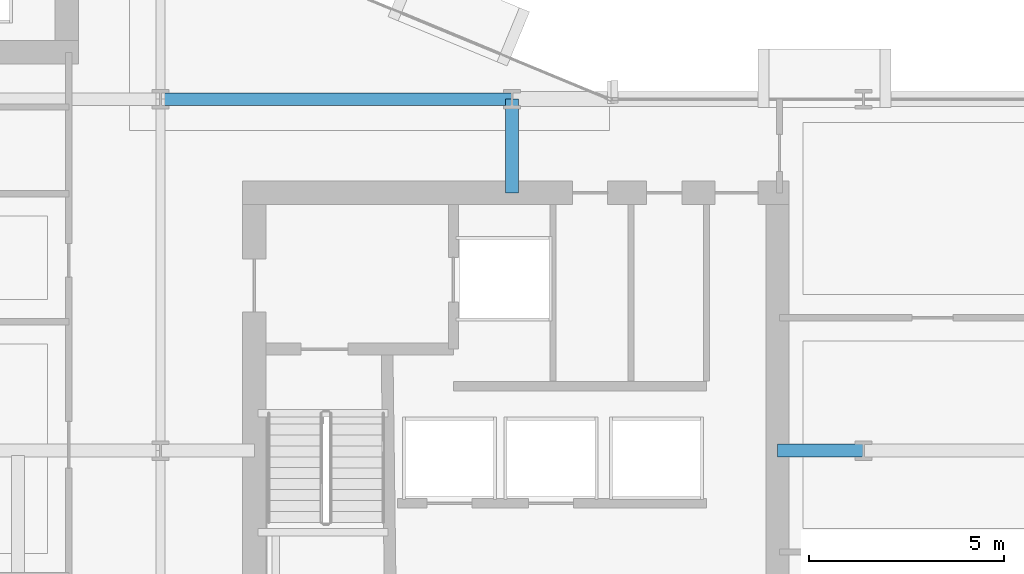
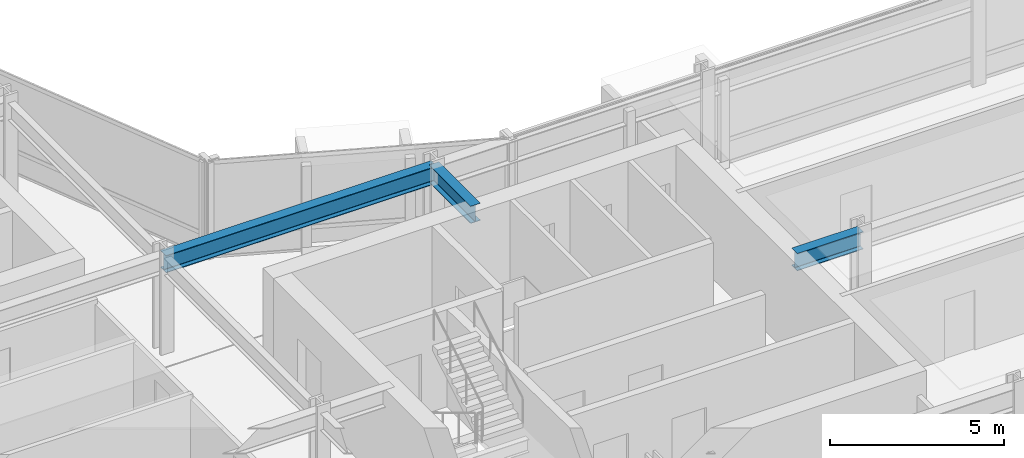
# One storey, part 14 of 34: 3 beams.
"""IFC4 building model written with IfcOpenShell, lengths in metres."""

from ifc_helpers import new_model, si_unit, direction, frame, origin, origin_2d, place, context, subcontext, project, spatial, i_section, extrude, material, material_profile, profile_set, type_object, element, save


model = new_model("IFC4")

# Units and contexts
model_context = context("Model", 3, precision=1e-05, world=origin(), true_north=direction((0.0, 1.0)))
body_context = subcontext(model_context, "Body", "Model", "MODEL_VIEW")
ifc_project = project(units=[si_unit("LENGTHUNIT", "METRE"), si_unit("AREAUNIT", "SQUARE_METRE"), si_unit("VOLUMEUNIT", "CUBIC_METRE"), si_unit("PLANEANGLEUNIT", "RADIAN"), si_unit("MASSUNIT", "GRAM", prefix="KILO")], contexts=[model_context])

# Site, building, storey
site_placement = place(None, origin())
site = spatial("IfcSite", under=ifc_project, at=site_placement, CompositionType="ELEMENT")
building_placement = place(site_placement, origin())
building = spatial("IfcBuilding", under=site, at=building_placement, Name="Solvaryn Broadcast Tower", CompositionType="ELEMENT")
storey_placement = place(building_placement, frame((0.0, 0.0, 36.0)))
storey = spatial("IfcBuildingStorey", under=building, at=storey_placement, Name="L07", CompositionType="ELEMENT", Elevation=36.0)

# Beams
ifc_material = material(Name="Steel ASTM A992 Grade 50", Category="steel")
ifc_material_profile = material_profile(ifc_material, i_section(OverallWidth=0.323974609375, OverallDepth=0.611083984375, WebThickness=0.0126953125, FlangeThickness=0.01904296875, FilletRadius=0.014892578125, at=origin_2d()))
ifc_profile_set = profile_set([ifc_material_profile], Name="Steel ASTM A992 Grade 50")
beam_type = type_object("IfcBeamType", Name="BM-B1-W24X104", PredefinedType="BEAM", material=ifc_profile_set)
beam_1_placement = place(storey_placement, frame((27.0, 27.0, 3.114501953125), z_axis=(1.0, 0.0, 0.0), x_axis=(0.0, 1.0, 0.0)))
element("IfcBeam", 1, at=beam_1_placement, inside=storey, type_object=beam_type, Name="L07 Primary Beam X (27-36 @ Y=27)", PredefinedType="BEAM", context=body_context, shape_type="SweptSolid", body=[
    extrude(i_section(OverallWidth=0.323974609375, OverallDepth=0.611083984375, WebThickness=0.0126953125, FlangeThickness=0.01904296875, FilletRadius=0.014892578125, at=origin_2d()), origin(), (0.0, 0.0, 1.0), 9.0),
])
beam_2_placement = place(storey_placement, frame((36.0, 24.60009765625, 3.114501953125), z_axis=(0.0, 1.0, 0.0), x_axis=(-1.0, 0.0, 0.0)))
element("IfcBeam", 2, at=beam_2_placement, inside=storey, type_object=beam_type, Name="L07 Core Tie Beam CTE2", PredefinedType="BEAM", context=body_context, shape_type="SweptSolid", body=[
    extrude(i_section(OverallWidth=0.323974609375, OverallDepth=0.611083984375, WebThickness=0.0126953125, FlangeThickness=0.01904296875, FilletRadius=0.014892578125, at=origin_2d()), origin(), (0.0, 0.0, 1.0), 2.39990234375),
])
beam_3_placement = place(storey_placement, frame((42.800048828125, 18.0, 3.114501953125), z_axis=(1.0, 0.0, 0.0), x_axis=(0.0, 1.0, 0.0)))
element("IfcBeam", 3, at=beam_3_placement, inside=storey, type_object=beam_type, Name="L07 Core Tie Beam CTE3", PredefinedType="BEAM", context=body_context, shape_type="SweptSolid", body=[
    extrude(i_section(OverallWidth=0.323974609375, OverallDepth=0.611083984375, WebThickness=0.0126953125, FlangeThickness=0.01904296875, FilletRadius=0.014892578125, at=origin_2d()), origin(), (0.0, 0.0, 1.0), 2.199951171875),
])

save(model, "model.ifc")
